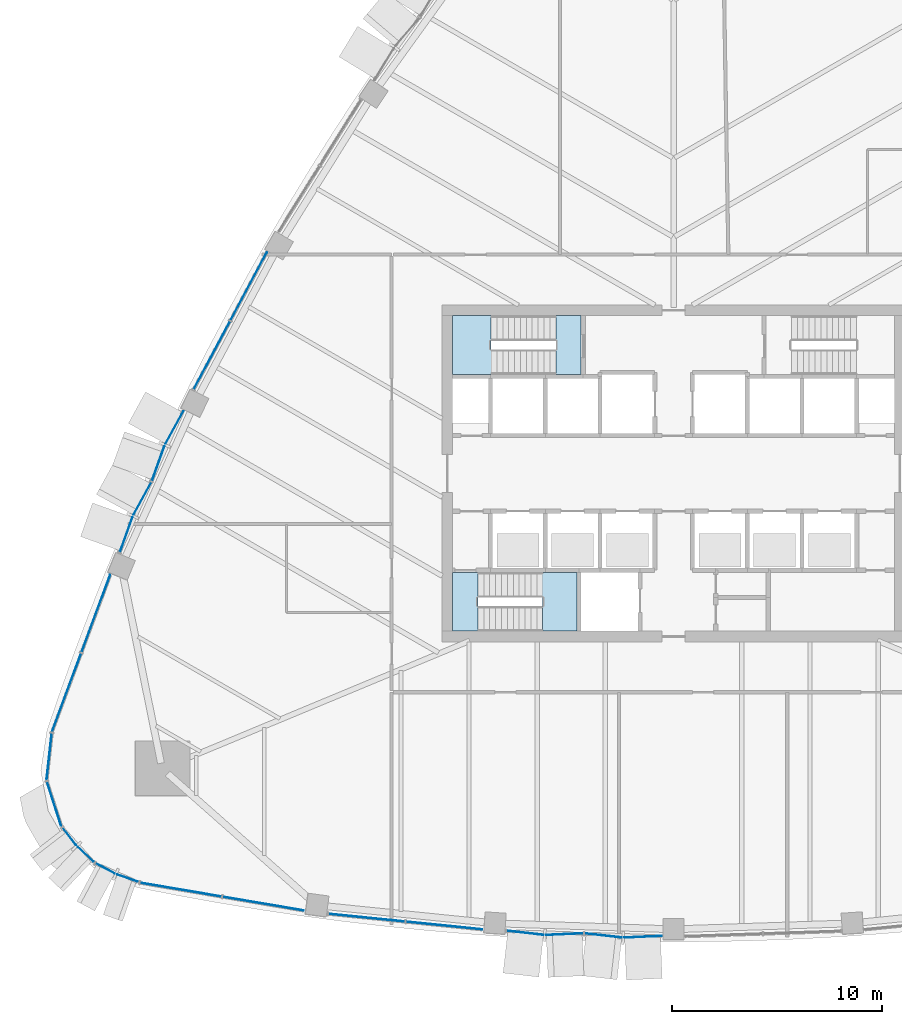
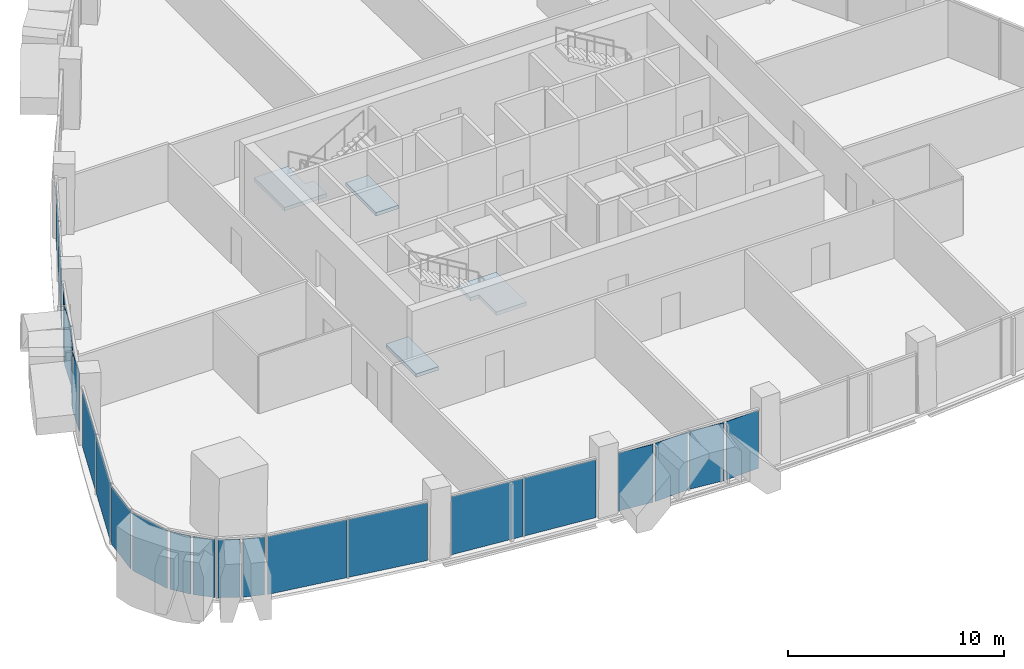
# One storey, part 8 of 17: 22 plates, 4 slabs, 12 elements without a shape of their own.
"""IFC4 building model written with IfcOpenShell, lengths in metres."""

from ifc_helpers import new_model, si_unit, direction, frame, origin, origin_2d, place, context, subcontext, project, spatial, polyline, rectangle, outline, extrude, material, layer, layer_set, type_object, element, aggregate, save


model = new_model("IFC4")

# Units and contexts
model_context = context("Model", 3, precision=1e-05, world=origin(), true_north=direction((0.0, 1.0)))
body_context = subcontext(model_context, "Body", "Model", "MODEL_VIEW")
ifc_project = project(units=[si_unit("LENGTHUNIT", "METRE"), si_unit("AREAUNIT", "SQUARE_METRE"), si_unit("VOLUMEUNIT", "CUBIC_METRE"), si_unit("PLANEANGLEUNIT", "RADIAN"), si_unit("MASSUNIT", "GRAM", prefix="KILO")], contexts=[model_context])

# Site, building, storey
site_placement = place(None, origin())
site = spatial("IfcSite", under=ifc_project, at=site_placement, CompositionType="ELEMENT")
building_placement = place(site_placement, origin())
building = spatial("IfcBuilding", under=site, at=building_placement, Name="Sierra Prisma Convention Tower", CompositionType="ELEMENT")
storey_placement = place(building_placement, frame((0.0, 0.0, 153.800048828125)))
storey = spatial("IfcBuildingStorey", under=building, at=storey_placement, Name="L33", CompositionType="ELEMENT", Elevation=153.800048828125)

# Curtain wall, plates
ifc_material_1 = material(Name="Aluminium and glass curtain wall", Category="aluminium")
ifc_layer_1 = layer(ifc_material_1, 0.179931640625)
ifc_layer_set_1 = layer_set([ifc_layer_1], Name="CW-1 Plain shaft curtain wall")
curtain_wall_type_1 = type_object("IfcCurtainWallType", Name="CW-1 Plain shaft curtain wall", PredefinedType="NOTDEFINED", material=ifc_layer_set_1)
curtain_wall_1_placement = place(storey_placement, origin())
curtain_wall_1 = element("IfcCurtainWall", 1, at=curtain_wall_1_placement, inside=storey, type_object=curtain_wall_type_1, Name="CW-1 S1 L33", PredefinedType="NOTDEFINED")
ifc_material_2 = material(Name="Tinted glass bronze-grey IGU", Category="glass")
ifc_layer_2 = layer(ifc_material_2, 0.028076171875)
ifc_layer_set_2 = layer_set([ifc_layer_2], Name="CW-1 glass panel")
plate_type_1 = type_object("IfcPlateType", Name="CW-1 glass panel", PredefinedType="CURTAIN_PANEL", material=ifc_layer_set_2)
plate_1_placement = place(storey_placement, frame((-23.418701171875, -19.78271484375, 0.0), z_axis=(0.0, 0.0, 1.0), x_axis=(0.985907976099, -0.16728856107, 0.0)))
plate_1 = element("IfcPlate", 2, at=plate_1_placement, type_object=plate_type_1, Name="CW-1 panel S1.1", PredefinedType="CURTAIN_PANEL", context=body_context, shape_type="SweptSolid", body=[
    extrude(rectangle(XDim=3.908935546875, YDim=0.028076171875, at=origin_2d()), origin(), (0.0, 0.0, 1.0), 3.280029296875),
])
plate_2_placement = place(storey_placement, frame((-19.495849609375, -20.4482421875, 0.0), z_axis=(0.0, 0.0, 1.0), x_axis=(0.985907976099, -0.16728856107, 0.0)))
plate_2 = element("IfcPlate", 3, at=plate_2_placement, type_object=plate_type_1, Name="CW-1 panel S1.2", PredefinedType="CURTAIN_PANEL", context=body_context, shape_type="SweptSolid", body=[
    extrude(rectangle(XDim=3.908935546875, YDim=0.028076171875, at=origin_2d()), origin(), (0.0, 0.0, 1.0), 3.280029296875),
])
aggregate(curtain_wall_1, [plate_1, plate_2])

curtain_wall_2_placement = place(storey_placement, origin())
curtain_wall_2 = element("IfcCurtainWall", 4, at=curtain_wall_2_placement, inside=storey, type_object=curtain_wall_type_1, Name="CW-1 S2 L33", PredefinedType="NOTDEFINED")
plate_3_placement = place(storey_placement, frame((-14.58642578125, -21.115478515625, 0.0), z_axis=(0.0, 0.0, 1.0), x_axis=(0.994919219535, -0.100676445112, 0.0)))
plate_3 = element("IfcPlate", 5, at=plate_3_placement, type_object=plate_type_1, Name="CW-1 panel S2.1", PredefinedType="CURTAIN_PANEL", context=body_context, shape_type="SweptSolid", body=[
    extrude(rectangle(XDim=3.636474609375, YDim=0.028076171875, at=origin_2d()), origin(), (0.0, 0.0, 1.0), 3.280029296875),
])
plate_4_placement = place(storey_placement, frame((-10.89892578125, -21.48876953125, 0.0), z_axis=(0.0, 0.0, 1.0), x_axis=(0.994919219535, -0.100676445112, 0.0)))
plate_4 = element("IfcPlate", 6, at=plate_4_placement, type_object=plate_type_1, Name="CW-1 panel S2.2", PredefinedType="CURTAIN_PANEL", context=body_context, shape_type="SweptSolid", body=[
    extrude(rectangle(XDim=3.636474609375, YDim=0.028076171875, at=origin_2d()), origin(), (0.0, 0.0, 1.0), 3.280029296875),
])
aggregate(curtain_wall_2, [plate_3, plate_4])

curtain_wall_3_placement = place(storey_placement, origin())
curtain_wall_3 = element("IfcCurtainWall", 7, at=curtain_wall_3_placement, inside=storey, type_object=curtain_wall_type_1, Name="CW-1 NW4 L33", PredefinedType="NOTDEFINED")
plate_5_placement = place(storey_placement, frame((-20.19384765625, 8.8935546875, 0.0), z_axis=(0.0, 0.0, 1.0), x_axis=(-0.470610897097, -0.882340854508, 0.0)))
plate_5 = element("IfcPlate", 8, at=plate_5_placement, type_object=plate_type_1, Name="CW-1 panel NW4.1", PredefinedType="CURTAIN_PANEL", context=body_context, shape_type="SweptSolid", body=[
    extrude(rectangle(XDim=3.652587890625, YDim=0.028076171875, at=origin_2d()), origin(), (0.0, 0.0, 1.0), 3.280029296875),
])
plate_6_placement = place(storey_placement, frame((-21.94580078125, 5.609130859375, 0.0), z_axis=(0.0, 0.0, 1.0), x_axis=(-0.470610897097, -0.882340854508, 0.0)))
plate_6 = element("IfcPlate", 9, at=plate_6_placement, type_object=plate_type_1, Name="CW-1 panel NW4.2", PredefinedType="CURTAIN_PANEL", context=body_context, shape_type="SweptSolid", body=[
    extrude(rectangle(XDim=3.652587890625, YDim=0.028076171875, at=origin_2d()), origin(), (0.0, 0.0, 1.0), 3.280029296875),
])
aggregate(curtain_wall_3, [plate_5, plate_6])

curtain_wall_4_placement = place(storey_placement, origin())
curtain_wall_4 = element("IfcCurtainWall", 10, at=curtain_wall_4_placement, inside=storey, type_object=curtain_wall_type_1, Name="CW-1 NW6 L33", PredefinedType="NOTDEFINED")
plate_7_placement = place(storey_placement, frame((-27.456787109375, -6.659912109375, 0.0), z_axis=(0.0, 0.0, 1.0), x_axis=(-0.3480778444, -0.93746563363, 0.0)))
plate_7 = element("IfcPlate", 11, at=plate_7_placement, type_object=plate_type_1, Name="CW-1 panel NW6.1", PredefinedType="CURTAIN_PANEL", context=body_context, shape_type="SweptSolid", body=[
    extrude(rectangle(XDim=3.908935546875, YDim=0.028076171875, at=origin_2d()), origin(), (0.0, 0.0, 1.0), 3.280029296875),
])
plate_8_placement = place(storey_placement, frame((-28.841552734375, -10.389892578125, 0.0), z_axis=(0.0, 0.0, 1.0), x_axis=(-0.3480778444, -0.93746563363, 0.0)))
plate_8 = element("IfcPlate", 12, at=plate_8_placement, type_object=plate_type_1, Name="CW-1 panel NW6.2", PredefinedType="CURTAIN_PANEL", context=body_context, shape_type="SweptSolid", body=[
    extrude(rectangle(XDim=3.908935546875, YDim=0.028076171875, at=origin_2d()), origin(), (0.0, 0.0, 1.0), 3.280029296875),
])
aggregate(curtain_wall_4, [plate_7, plate_8])

# Curtain wall, plate
curtain_wall_5_placement = place(storey_placement, origin())
curtain_wall_5 = element("IfcCurtainWall", 13, at=curtain_wall_5_placement, inside=storey, type_object=curtain_wall_type_1, Name="CW-1 SW1 L33", PredefinedType="NOTDEFINED")
plate_9_placement = place(storey_placement, frame((-29.674072265625, -13.43896484375, 0.0), z_axis=(0.0, 0.0, 1.0), x_axis=(-0.110303533395, -0.993897947739, 0.0)))
plate_9 = element("IfcPlate", 14, at=plate_9_placement, type_object=plate_type_1, Name="CW-1 panel SW1.1", PredefinedType="CURTAIN_PANEL", context=body_context, shape_type="SweptSolid", body=[
    extrude(rectangle(XDim=2.1767578125, YDim=0.028076171875, at=origin_2d()), origin(), (0.0, 0.0, 1.0), 3.280029296875),
])
aggregate(curtain_wall_5, [plate_9])

curtain_wall_6_placement = place(storey_placement, origin())
curtain_wall_6 = element("IfcCurtainWall", 15, at=curtain_wall_6_placement, inside=storey, type_object=curtain_wall_type_1, Name="CW-1 SW2 L33", PredefinedType="NOTDEFINED")
plate_10_placement = place(storey_placement, frame((-29.446044921875, -15.69287109375, 0.0), z_axis=(0.0, 0.0, 1.0), x_axis=(0.307174953183, -0.951653060804, 0.0)))
plate_10 = element("IfcPlate", 16, at=plate_10_placement, type_object=plate_type_1, Name="CW-1 panel SW2.1", PredefinedType="CURTAIN_PANEL", context=body_context, shape_type="SweptSolid", body=[
    extrude(rectangle(XDim=2.1767578125, YDim=0.028076171875, at=origin_2d()), origin(), (0.0, 0.0, 1.0), 3.280029296875),
])
aggregate(curtain_wall_6, [plate_10])

# Curtain wall, plates
ifc_material_3 = material(Name="Aluminium and glass curtain wall", Category="aluminium")
ifc_layer_3 = layer(ifc_material_3, 0.179931640625)
ifc_layer_set_3 = layer_set([ifc_layer_3], Name="CW-2 Faceted crystal curtain wall")
curtain_wall_type_2 = type_object("IfcCurtainWallType", Name="CW-2 Faceted crystal curtain wall", PredefinedType="NOTDEFINED", material=ifc_layer_set_3)
curtain_wall_7_placement = place(storey_placement, origin())
curtain_wall_7 = element("IfcCurtainWall", 17, at=curtain_wall_7_placement, inside=storey, type_object=curtain_wall_type_2, Name="CW-2 S3 L33", PredefinedType="NOTDEFINED")
ifc_material_4 = material(Name="Tinted glass bronze-grey IGU", Category="glass")
ifc_layer_4 = layer(ifc_material_4, 0.028076171875)
ifc_layer_set_4 = layer_set([ifc_layer_4], Name="CW-2 crystal pane")
plate_type_2 = type_object("IfcPlateType", Name="CW-2 crystal pane", PredefinedType="CURTAIN_PANEL", material=ifc_layer_set_4)
plate_11_placement = place(storey_placement, frame((-7.9404296875, -21.748779296875, 0.0), z_axis=(-0.111932939479, -0.993715762711, 0.0), x_axis=(0.993715762711, -0.111932939479, 0.0)))
plate_11 = element("IfcPlate", 18, at=plate_11_placement, type_object=plate_type_2, Name="CW-2 pane S3.1.1", PredefinedType="CURTAIN_PANEL", context=body_context, shape_type="SweptSolid", body=[
    extrude(outline(polyline([(0.0, 0.0), (1.7667177076733906, 0.0), (1.7667177076733906, 3.280029296875), (0.0, 3.280029296875), (0.0, 0.0)])), origin(), (0.0, 0.0, -1.0), 0.028076171875),
])
plate_12_placement = place(storey_placement, frame((-4.2900390625, -21.871337890625, 0.0), z_axis=(0.044906243691, -0.998991205806, 0.0), x_axis=(-0.998991205806, -0.044906243691, 0.0)))
plate_12 = element("IfcPlate", 19, at=plate_12_placement, type_object=plate_type_2, Name="CW-2 pane S3.1.2", PredefinedType="CURTAIN_PANEL", context=body_context, shape_type="SweptSolid", body=[
    extrude(outline(polyline([(0.0, 0.0), (1.7669191765567314, 0.0), (1.7669191765567314, -3.280029296875001), (0.0, -3.280029296875001), (0.0, 0.0)])), origin(), (0.0, 0.0, -1.0), 0.028076171875),
])
plate_13_placement = place(storey_placement, frame((-4.22021484375, -21.873779296875, 0.0), z_axis=(-0.1119175709, -0.993717493719, 0.0), x_axis=(0.993717493719, -0.1119175709, 0.0)))
plate_13 = element("IfcPlate", 20, at=plate_13_placement, type_object=plate_type_2, Name="CW-2 pane S3.2.1", PredefinedType="CURTAIN_PANEL", context=body_context, shape_type="SweptSolid", body=[
    extrude(outline(polyline([(0.0, 0.0), (1.7669603142720904, 0.0), (1.7669603142720904, 3.280029296875), (0.0, 3.280029296875), (0.0, 0.0)])), origin(), (0.0, 0.0, -1.0), 0.028076171875),
])
plate_14_placement = place(storey_placement, frame((-0.569580078125, -21.99658203125, 0.0), z_axis=(0.044906243691, -0.998991205806, 0.0), x_axis=(-0.998991205806, -0.044906243691, 0.0)))
plate_14 = element("IfcPlate", 21, at=plate_14_placement, type_object=plate_type_2, Name="CW-2 pane S3.2.2", PredefinedType="CURTAIN_PANEL", context=body_context, shape_type="SweptSolid", body=[
    extrude(outline(polyline([(0.0, 0.0), (1.7669191765567314, 0.0), (1.7669191765567314, -3.280029296875001), (0.0, -3.280029296875001), (0.0, 0.0)])), origin(), (0.0, 0.0, -1.0), 0.028076171875),
])
aggregate(curtain_wall_7, [plate_11, plate_12, plate_13, plate_14])

curtain_wall_8_placement = place(storey_placement, origin())
curtain_wall_8 = element("IfcCurtainWall", 22, at=curtain_wall_8_placement, inside=storey, type_object=curtain_wall_type_2, Name="CW-2 NW5 L33", PredefinedType="NOTDEFINED")
plate_15_placement = place(storey_placement, frame((-23.313232421875, 2.9638671875, 0.0), z_axis=(-0.876970931994, 0.480543426173, 0.0), x_axis=(-0.480543426173, -0.876970931994, 0.0)))
plate_15 = element("IfcPlate", 23, at=plate_15_placement, type_object=plate_type_2, Name="CW-2 pane NW5.1.1", PredefinedType="CURTAIN_PANEL", context=body_context, shape_type="SweptSolid", body=[
    extrude(outline(polyline([(0.0, 0.0), (1.7588729711296827, 0.0), (1.7588729711296827, 3.280029296875), (0.0, 3.280029296875), (0.0, 0.0)])), origin(), (0.0, 0.0, -1.0), 0.028076171875),
])
plate_16_placement = place(storey_placement, frame((-24.80517578125, -0.3525390625, 0.0), z_axis=(-0.941351882513, 0.337426485755, 0.0), x_axis=(0.337426485755, 0.941351882513, 0.0)))
plate_16 = element("IfcPlate", 24, at=plate_16_placement, type_object=plate_type_2, Name="CW-2 pane NW5.1.2", PredefinedType="CURTAIN_PANEL", context=body_context, shape_type="SweptSolid", body=[
    extrude(outline(polyline([(0.0, 0.0), (1.7589190073424108, 0.0), (1.7589190073424108, -3.280029296875001), (0.0, -3.280029296875001), (0.0, 0.0)])), origin(), (0.0, 0.0, -1.0), 0.028076171875),
])
plate_17_placement = place(storey_placement, frame((-24.833984375, -0.416259765625, 0.0), z_axis=(-0.876970931994, 0.480543426173, 0.0), x_axis=(-0.480543426173, -0.876970931994, 0.0)))
plate_17 = element("IfcPlate", 25, at=plate_17_placement, type_object=plate_type_2, Name="CW-2 pane NW5.2.1", PredefinedType="CURTAIN_PANEL", context=body_context, shape_type="SweptSolid", body=[
    extrude(outline(polyline([(0.0, 0.0), (1.7588729711296827, 0.0), (1.7588729711296827, 3.280029296875), (0.0, 3.280029296875), (0.0, 0.0)])), origin(), (0.0, 0.0, -1.0), 0.028076171875),
])
plate_18_placement = place(storey_placement, frame((-26.32568359375, -3.732666015625, 0.0), z_axis=(-0.941351882513, 0.337426485755, 0.0), x_axis=(0.337426485755, 0.941351882513, 0.0)))
plate_18 = element("IfcPlate", 26, at=plate_18_placement, type_object=plate_type_2, Name="CW-2 pane NW5.2.2", PredefinedType="CURTAIN_PANEL", context=body_context, shape_type="SweptSolid", body=[
    extrude(outline(polyline([(0.0, 0.0), (1.7589190073424108, 0.0), (1.7589190073424108, -3.280029296875001), (0.0, -3.280029296875001), (0.0, 0.0)])), origin(), (0.0, 0.0, -1.0), 0.028076171875),
])
aggregate(curtain_wall_8, [plate_15, plate_16, plate_17, plate_18])

curtain_wall_9_placement = place(storey_placement, origin())
curtain_wall_9 = element("IfcCurtainWall", 27, at=curtain_wall_9_placement, inside=storey, type_object=curtain_wall_type_2, Name="CW-2 SW3 L33", PredefinedType="NOTDEFINED")
plate_19_placement = place(storey_placement, frame((-29.043212890625, -16.84716796875, 0.0), z_axis=(-0.792173025394, -0.610296565482, 0.0), x_axis=(0.610296565482, -0.792173025394, 0.0)))
plate_19 = element("IfcPlate", 28, at=plate_19_placement, type_object=plate_type_2, Name="CW-2 pane SW3.1.1", PredefinedType="CURTAIN_PANEL", context=body_context, shape_type="SweptSolid", body=[
    extrude(outline(polyline([(0.0, 0.0), (1.0268925303229937, 0.0), (1.0268925303229937, 3.280029296875), (0.0, 3.280029296875), (0.0, 0.0)])), origin(), (0.0, 0.0, -1.0), 0.028076171875),
])
plate_20_placement = place(storey_placement, frame((-27.58349609375, -18.4619140625, 0.0), z_axis=(-0.686972573122, -0.726683344916, 0.0), x_axis=(-0.726683344916, 0.686972573122, 0.0)))
plate_20 = element("IfcPlate", 29, at=plate_20_placement, type_object=plate_type_2, Name="CW-2 pane SW3.1.2", PredefinedType="CURTAIN_PANEL", context=body_context, shape_type="SweptSolid", body=[
    extrude(outline(polyline([(0.0, 0.0), (1.0267109535674808, 0.0), (1.0267109535674808, -3.280029296875), (0.0, -3.280029296875), (0.0, 0.0)])), origin(), (0.0, 0.0, -1.0), 0.028076171875),
])
aggregate(curtain_wall_9, [plate_19, plate_20])

curtain_wall_10_placement = place(storey_placement, origin())
curtain_wall_10 = element("IfcCurtainWall", 30, at=curtain_wall_10_placement, inside=storey, type_object=curtain_wall_type_2, Name="CW-2 SW4 L33", PredefinedType="NOTDEFINED")
plate_21_placement = place(storey_placement, frame((-27.472412109375, -18.5419921875, 0.0), z_axis=(-0.47214224406, -0.881522377126, 0.0), x_axis=(0.881522377126, -0.47214224406, 0.0)))
plate_21 = element("IfcPlate", 31, at=plate_21_placement, type_object=plate_type_2, Name="CW-2 pane SW4.1.1", PredefinedType="CURTAIN_PANEL", context=body_context, shape_type="SweptSolid", body=[
    extrude(outline(polyline([(0.0, 0.0), (1.0269432302457537, 0.0), (1.0269432302457537, 3.280029296875), (0.0, 3.280029296875), (0.0, 0.0)])), origin(), (0.0, 0.0, -1.0), 0.028076171875),
])
plate_22_placement = place(storey_placement, frame((-25.478759765625, -19.416015625, 0.0), z_axis=(-0.328400720159, -0.944538494186, 0.0), x_axis=(-0.944538494186, 0.328400720159, 0.0)))
plate_22 = element("IfcPlate", 32, at=plate_22_placement, type_object=plate_type_2, Name="CW-2 pane SW4.1.2", PredefinedType="CURTAIN_PANEL", context=body_context, shape_type="SweptSolid", body=[
    extrude(outline(polyline([(0.0, 0.0), (1.026667063829626, 0.0), (1.026667063829626, -3.280029296875001), (0.0, -3.280029296875001), (0.0, 0.0)])), origin(), (0.0, 0.0, -1.0), 0.028076171875),
])
aggregate(curtain_wall_10, [plate_21, plate_22])

# Stair, slab
ifc_material_5 = material(Name="Concrete C30/37", Category="concrete")
stair_type = type_object("IfcStairType", Name="Stair dog-leg 1200 RC", PredefinedType="HALF_TURN_STAIR", material=ifc_material_5)
stair_1_placement = place(storey_placement, origin())
stair_1 = element("IfcStair", 33, at=stair_1_placement, inside=storey, type_object=stair_type, Name="L33 S1", PredefinedType="HALF_TURN_STAIR")
ifc_material_6 = material(Name="Concrete C35/45", Category="concrete")
ifc_layer_5 = layer(ifc_material_6, 0.199951171875)
ifc_layer_set_5 = layer_set([ifc_layer_5], Name="Stair landing slab")
slab_type = type_object("IfcSlabType", Name="Stair landing slab", PredefinedType="LANDING", material=ifc_layer_set_5)
slab_1_placement = place(storey_placement, frame((0.0, 0.0, 1.800048828125)))
slab_1 = element("IfcSlab", 34, at=slab_1_placement, type_object=slab_type, Name="S1 landing 1", PredefinedType="LANDING", context=body_context, shape_type="SweptSolid", body=[
    extrude(outline(polyline([(-4.60009765625, -4.699951171875), (-4.60009765625, -7.5), (-6.221923828125, -7.5), (-6.221923828125, -5.89990234375), (-6.669921875, -5.89990234375), (-6.669921875, -4.699951171875), (-4.60009765625, -4.699951171875)])), origin(), (0.0, 0.0, 1.0), 0.199951171875),
])
aggregate(stair_1, [slab_1])

# Slab
slab_2_placement = place(storey_placement, frame((0.0, 0.0, -0.199951171875)))
element("IfcSlab", 35, at=slab_2_placement, inside=storey, type_object=slab_type, Name="S1 floor landing L33", PredefinedType="LANDING", context=body_context, shape_type="SweptSolid", body=[
    extrude(outline(polyline([(-10.5, -7.5), (-9.298095703125, -7.5), (-9.298095703125, -4.699951171875), (-10.5, -4.699951171875), (-10.5, -7.5)])), origin(), (0.0, 0.0, 1.0), 0.199951171875),
])

# Stair, slab
stair_2_placement = place(storey_placement, origin())
stair_2 = element("IfcStair", 36, at=stair_2_placement, inside=storey, type_object=stair_type, Name="L33 S3", PredefinedType="HALF_TURN_STAIR")
slab_3_placement = place(storey_placement, frame((0.0, 0.0, 1.800048828125)))
slab_3 = element("IfcSlab", 37, at=slab_3_placement, type_object=slab_type, Name="S3 landing 1", PredefinedType="LANDING", context=body_context, shape_type="SweptSolid", body=[
    extrude(outline(polyline([(-8.22998046875, 5.89990234375), (-8.22998046875, 4.699951171875), (-10.5, 4.699951171875), (-10.5, 7.5), (-8.677978515625, 7.5), (-8.677978515625, 5.89990234375), (-8.22998046875, 5.89990234375)])), origin(), (0.0, 0.0, 1.0), 0.199951171875),
])
aggregate(stair_2, [slab_3])

# Slab
slab_4_placement = place(storey_placement, frame((0.0, 0.0, -0.199951171875)))
element("IfcSlab", 38, at=slab_4_placement, inside=storey, type_object=slab_type, Name="S3 floor landing L33", PredefinedType="LANDING", context=body_context, shape_type="SweptSolid", body=[
    extrude(outline(polyline([(-4.39990234375, 7.5), (-5.60205078125, 7.5), (-5.60205078125, 4.699951171875), (-4.39990234375, 4.699951171875), (-4.39990234375, 7.5)])), origin(), (0.0, 0.0, 1.0), 0.199951171875),
])

save(model, "model.ifc")
